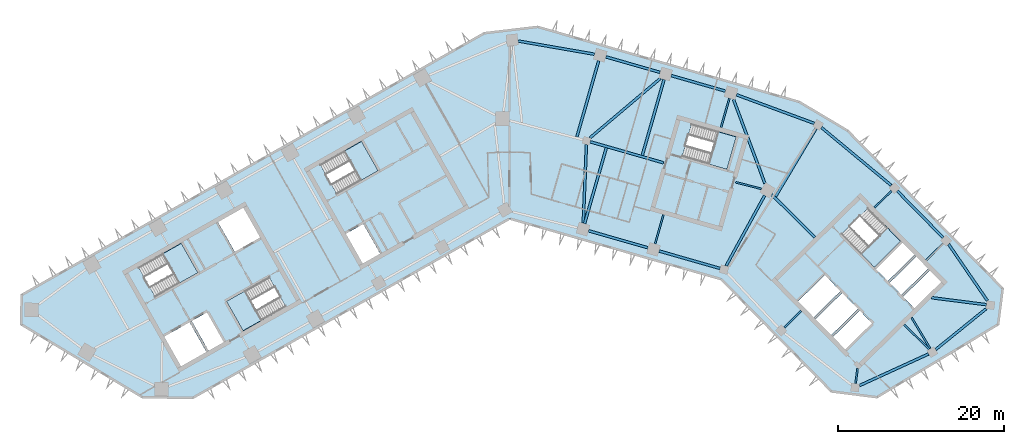
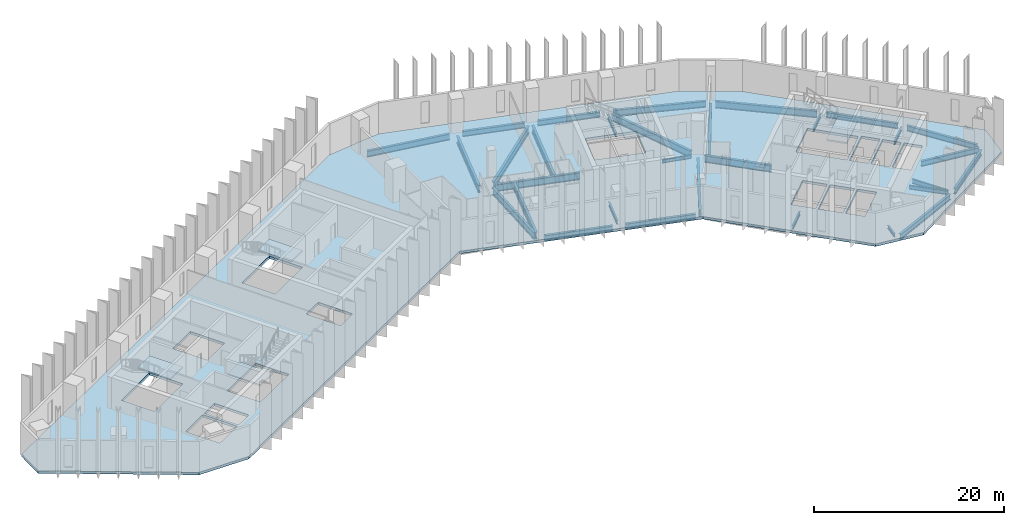
# One storey, part 2 of 11: 31 beams, 6 slabs, 5 elements without a shape of their own.
"""IFC4 building model written with IfcOpenShell, lengths in metres."""

from ifc_helpers import new_model, si_unit, direction, frame, origin, origin_2d, place, context, subcontext, project, spatial, polyline, i_section, outline, extrude, material, layer, layer_set, material_profile, profile_set, type_object, element, aggregate, save


model = new_model("IFC4")

# Units and contexts
model_context = context("Model", 3, precision=1e-05, world=origin(), true_north=direction((0.0, 1.0)))
body_context = subcontext(model_context, "Body", "Model", "MODEL_VIEW")
ifc_project = project(units=[si_unit("LENGTHUNIT", "METRE"), si_unit("AREAUNIT", "SQUARE_METRE"), si_unit("VOLUMEUNIT", "CUBIC_METRE"), si_unit("PLANEANGLEUNIT", "RADIAN"), si_unit("MASSUNIT", "GRAM", prefix="KILO")], contexts=[model_context])

# Site, building, storey
site_placement = place(None, origin())
site = spatial("IfcSite", under=ifc_project, at=site_placement, CompositionType="ELEMENT")
building_placement = place(site_placement, origin())
building = spatial("IfcBuilding", under=site, at=building_placement, Name="Binnacle Exchange Tower", CompositionType="ELEMENT")
storey_placement = place(building_placement, frame((0.0, 0.0, 105.89990234375)))
storey = spatial("IfcBuildingStorey", under=building, at=storey_placement, Name="L21", CompositionType="ELEMENT", Elevation=105.89990234375)

# Beams
ifc_material_1 = material(Name="Steel S355 (SHN355)", Category="steel")
ifc_material_profile_1 = material_profile(ifc_material_1, i_section(OverallWidth=0.300048828125, OverallDepth=0.699951171875, WebThickness=0.012939453125, FlangeThickness=0.02392578125, FilletRadius=0.028076171875, at=origin_2d()), Name="H 700x300x13x24")
ifc_profile_set_1 = profile_set([ifc_material_profile_1], Name="Steel S355 (SHN355)")
beam_type_1 = type_object("IfcBeamType", Name="Edge girder H 700x300x13x24 Steel S355 (SHN355)", PredefinedType="SPANDREL", material=ifc_profile_set_1)
beam_1_placement = place(storey_placement, frame((9.482421875, 46.529296875, -0.669921875), z_axis=(0.961257800717, -0.275650939705, 0.0), x_axis=(0.275650939705, 0.961257800717, 0.0)))
element("IfcBeam", 1, at=beam_1_placement, inside=storey, type_object=beam_type_1, Name="S:BM:edge:L21:030", PredefinedType="SPANDREL", context=body_context, shape_type="SweptSolid", body=[
    extrude(i_section(OverallWidth=0.300048828125, OverallDepth=0.699951171875, WebThickness=0.012939453125, FlangeThickness=0.02392578125, FilletRadius=0.028076171875, at=origin_2d()), origin(), (0.0, 0.0, 1.0), 7.42041015625),
])
beam_2_placement = place(storey_placement, frame((17.961181640625, 44.09814453125, -0.669921875), z_axis=(0.961257524102, -0.275651904325, 0.0), x_axis=(0.275651904325, 0.961257524102, 0.0)))
element("IfcBeam", 2, at=beam_2_placement, inside=storey, type_object=beam_type_1, Name="S:BM:edge:L21:032", PredefinedType="SPANDREL", context=body_context, shape_type="SweptSolid", body=[
    extrude(i_section(OverallWidth=0.300048828125, OverallDepth=0.699951171875, WebThickness=0.012939453125, FlangeThickness=0.02392578125, FilletRadius=0.028076171875, at=origin_2d()), origin(), (0.0, 0.0, 1.0), 7.620361328125),
])
for number, where, z_axis, x_axis, name in (
    (3, (18.073486328125, 65.569091796875, -0.669921875), (-0.961258249907, 0.275649373272, 0.0), (-0.275649373272, -0.961258249907, 0.0), "S:BM:edge:L21:033"),
    (4, (25.9296875, 63.31640625, -0.669921875), (-0.961258249907, 0.275649373272, 0.0), (-0.275649373272, -0.961258249907, 0.0), "S:BM:edge:L21:034"),
):
    element("IfcBeam", number, at=place(storey_placement, frame(where, z_axis=z_axis, x_axis=x_axis)), inside=storey, type_object=beam_type_1, Name=name, PredefinedType="SPANDREL", context=body_context, shape_type="SweptSolid", body=[
        extrude(i_section(OverallWidth=0.300048828125, OverallDepth=0.699951171875, WebThickness=0.012939453125, FlangeThickness=0.02392578125, FilletRadius=0.028076171875, at=origin_2d()), origin(), (0.0, 0.0, 1.0), 6.77294921875),
    ])
beam_3_placement = place(storey_placement, frame((51.20458984375, 32.248291015625, -0.669921875), z_axis=(0.777570349394, 0.628795953981, 0.0), x_axis=(-0.628795953981, 0.777570349394, 0.0)))
element("IfcBeam", 5, at=beam_3_placement, inside=storey, type_object=beam_type_1, Name="S:BM:edge:L21:040", PredefinedType="SPANDREL", context=body_context, shape_type="SweptSolid", body=[
    extrude(i_section(OverallWidth=0.300048828125, OverallDepth=0.699951171875, WebThickness=0.012939453125, FlangeThickness=0.02392578125, FilletRadius=0.028076171875, at=origin_2d()), origin(), (0.0, 0.0, 1.0), 7.788330078125),
])
beam_4_placement = place(storey_placement, frame((52.1162109375, 45.69580078125, -0.669921875), z_axis=(-0.700892629455, 0.713266795789, 0.0), x_axis=(-0.713266795789, -0.700892629455, 0.0)))
element("IfcBeam", 6, at=beam_4_placement, inside=storey, type_object=beam_type_1, Name="S:BM:edge:L21:041", PredefinedType="SPANDREL", context=body_context, shape_type="SweptSolid", body=[
    extrude(i_section(OverallWidth=0.300048828125, OverallDepth=0.699951171875, WebThickness=0.012939453125, FlangeThickness=0.02392578125, FilletRadius=0.028076171875, at=origin_2d()), origin(), (0.0, 0.0, 1.0), 7.872314453125),
])
beam_5_placement = place(storey_placement, frame((57.41943359375, 38.13330078125, -0.669921875), z_axis=(-0.566410561214, 0.824123216604, 0.0), x_axis=(-0.824123216604, -0.566410561214, 0.0)))
element("IfcBeam", 7, at=beam_5_placement, inside=storey, type_object=beam_type_1, Name="S:BM:edge:L21:042", PredefinedType="SPANDREL", context=body_context, shape_type="SweptSolid", body=[
    extrude(i_section(OverallWidth=0.300048828125, OverallDepth=0.699951171875, WebThickness=0.012939453125, FlangeThickness=0.02392578125, FilletRadius=0.028076171875, at=origin_2d()), origin(), (0.0, 0.0, 1.0), 8.236083984375),
])
ifc_material_profile_2 = material_profile(ifc_material_1, i_section(OverallWidth=0.302001953125, OverallDepth=0.7080078125, WebThickness=0.014892578125, FlangeThickness=0.028076171875, FilletRadius=0.028076171875, at=origin_2d()), Name="H 708x302x15x28")
ifc_profile_set_2 = profile_set([ifc_material_profile_2], Name="Steel S355 (SHN355)")
beam_type_2 = type_object("IfcBeamType", Name="Edge girder H 708x302x15x28 Steel S355 (SHN355)", PredefinedType="SPANDREL", material=ifc_profile_set_2)
beam_6_placement = place(storey_placement, frame((42.054931640625, 27.919921875, -0.673828125), z_axis=(0.909166515566, 0.41643276405, 0.0), x_axis=(-0.41643276405, 0.909166515566, 0.0)))
element("IfcBeam", 8, at=beam_6_placement, inside=storey, type_object=beam_type_2, Name="S:BM:edge:L21:038", PredefinedType="SPANDREL", context=body_context, shape_type="SweptSolid", body=[
    extrude(i_section(OverallWidth=0.302001953125, OverallDepth=0.7080078125, WebThickness=0.014892578125, FlangeThickness=0.028076171875, FilletRadius=0.028076171875, at=origin_2d()), origin(), (0.0, 0.0, 1.0), 9.128662109375),
])
ifc_material_profile_3 = material_profile(ifc_material_1, i_section(OverallWidth=0.300048828125, OverallDepth=0.800048828125, WebThickness=0.013916015625, FlangeThickness=0.02587890625, FilletRadius=0.028076171875, at=origin_2d()), Name="H 800x300x14x26")
ifc_profile_set_3 = profile_set([ifc_material_profile_3], Name="Steel S355 (SHN355)")
beam_type_3 = type_object("IfcBeamType", Name="Edge girder H 800x300x14x26 Steel S355 (SHN355)", PredefinedType="SPANDREL", material=ifc_profile_set_3)
beam_7_placement = place(storey_placement, frame((10.1962890625, 67.749267578125, -0.719970703125), z_axis=(-0.985312784176, 0.170759237931, 0.0), x_axis=(-0.170759237931, -0.985312784176, 0.0)))
element("IfcBeam", 9, at=beam_7_placement, inside=storey, type_object=beam_type_3, Name="S:BM:edge:L21:031", PredefinedType="SPANDREL", context=body_context, shape_type="SweptSolid", body=[
    extrude(i_section(OverallWidth=0.300048828125, OverallDepth=0.800048828125, WebThickness=0.013916015625, FlangeThickness=0.02587890625, FilletRadius=0.028076171875, at=origin_2d()), origin(), (0.0, 0.0, 1.0), 9.313232421875),
])
ifc_material_profile_4 = material_profile(ifc_material_1, i_section(OverallWidth=0.302001953125, OverallDepth=0.80810546875, WebThickness=0.01611328125, FlangeThickness=0.030029296875, FilletRadius=0.028076171875, at=origin_2d()), Name="H 808x302x16x30")
ifc_profile_set_4 = profile_set([ifc_material_profile_4], Name="Steel S355 (SHN355)")
beam_type_4 = type_object("IfcBeamType", Name="Edge girder H 808x302x16x30 Steel S355 (SHN355)", PredefinedType="SPANDREL", material=ifc_profile_set_4)
beam_8_placement = place(storey_placement, frame((36.60791015625, 59.438232421875, -0.723876953125), z_axis=(-0.938371988478, 0.3456269828, 0.0), x_axis=(-0.3456269828, -0.938371988478, 0.0)))
element("IfcBeam", 10, at=beam_8_placement, inside=storey, type_object=beam_type_4, Name="S:BM:edge:L21:037", PredefinedType="SPANDREL", context=body_context, shape_type="SweptSolid", body=[
    extrude(i_section(OverallWidth=0.302001953125, OverallDepth=0.80810546875, WebThickness=0.01611328125, FlangeThickness=0.030029296875, FilletRadius=0.028076171875, at=origin_2d()), origin(), (0.0, 0.0, 1.0), 9.96044921875),
])
ifc_material_profile_5 = material_profile(ifc_material_1, i_section(OverallWidth=0.300048828125, OverallDepth=0.89990234375, WebThickness=0.01611328125, FlangeThickness=0.028076171875, FilletRadius=0.028076171875, at=origin_2d()), Name="H 900x300x16x28")
ifc_profile_set_5 = profile_set([ifc_material_profile_5], Name="Steel S355 (SHN355)")
beam_type_5 = type_object("IfcBeamType", Name="Edge girder H 900x300x16x28 Steel S355 (SHN355)", PredefinedType="SPANDREL", material=ifc_profile_set_5)
beam_9_placement = place(storey_placement, frame((45.861083984375, 51.988037109375, -0.77001953125), z_axis=(-0.769903256509, 0.63816061898, 0.0), x_axis=(-0.63816061898, -0.769903256509, 0.0)))
element("IfcBeam", 11, at=beam_9_placement, inside=storey, type_object=beam_type_5, Name="S:BM:edge:L21:039", PredefinedType="SPANDREL", context=body_context, shape_type="SweptSolid", body=[
    extrude(i_section(OverallWidth=0.300048828125, OverallDepth=0.89990234375, WebThickness=0.01611328125, FlangeThickness=0.028076171875, FilletRadius=0.028076171875, at=origin_2d()), origin(), (0.0, 0.0, 1.0), 10.892822265625),
])
ifc_material_profile_6 = material_profile(ifc_material_1, i_section(OverallWidth=0.199951171875, OverallDepth=0.39990234375, WebThickness=0.008056640625, FlangeThickness=0.012939453125, FilletRadius=0.01611328125, at=origin_2d()), Name="H 400x200x8x13")
ifc_profile_set_6 = profile_set([ifc_material_profile_6], Name="Steel S355 (SHN355)")
beam_type_6 = type_object("IfcBeamType", Name="Floor beam H 400x200x8x13 Steel S355 (SHN355)", PredefinedType="BEAM", material=ifc_profile_set_6)
beam_10_placement = place(storey_placement, frame((41.582763671875, 28.1708984375, -0.52001953125), z_axis=(0.12626620762, 0.991996393549, 0.0), x_axis=(-0.991996393549, 0.12626620762, 0.0)))
element("IfcBeam", 12, at=beam_10_placement, inside=storey, type_object=beam_type_6, Name="S:BM:cross:L21:063", PredefinedType="BEAM", context=body_context, shape_type="SweptSolid", body=[
    extrude(i_section(OverallWidth=0.199951171875, OverallDepth=0.39990234375, WebThickness=0.008056640625, FlangeThickness=0.012939453125, FilletRadius=0.01611328125, at=origin_2d()), origin(), (0.0, 0.0, 1.0), 1.8310546875),
])
ifc_material_profile_7 = material_profile(ifc_material_1, i_section(OverallWidth=0.199951171875, OverallDepth=0.449951171875, WebThickness=0.009033203125, FlangeThickness=0.013916015625, FilletRadius=0.01806640625, at=origin_2d()), Name="H 450x200x9x14")
ifc_profile_set_7 = profile_set([ifc_material_profile_7], Name="Steel S355 (SHN355)")
beam_type_7 = type_object("IfcBeamType", Name="Floor beam H 450x200x9x14 Steel S355 (SHN355)", PredefinedType="BEAM", material=ifc_profile_set_7)
for number, where, z_axis, x_axis, name in (
    (13, (32.997802734375, 34.880615234375, -0.544921875), (0.713272005304, 0.700887327928, 0.0), (-0.700887327928, 0.713272005304, 0.0), "S:BM:cross:L21:061"),
    (14, (45.8916015625, 51.31689453125, -0.544921875), (-0.713272005304, -0.700887327928, 0.0), (0.700887327928, -0.713272005304, 0.0), "S:BM:cross:L21:064"),
    (15, (52.110107421875, 44.98876953125, -0.544921875), (-0.713272005304, -0.700887327928, 0.0), (0.700887327928, -0.713272005304, 0.0), "S:BM:cross:L21:066"),
):
    element("IfcBeam", number, at=place(storey_placement, frame(where, z_axis=z_axis, x_axis=x_axis)), inside=storey, type_object=beam_type_7, Name=name, PredefinedType="BEAM", context=body_context, shape_type="SweptSolid", body=[
        extrude(i_section(OverallWidth=0.199951171875, OverallDepth=0.449951171875, WebThickness=0.009033203125, FlangeThickness=0.013916015625, FilletRadius=0.01806640625, at=origin_2d()), origin(), (0.0, 0.0, 1.0), 2.8583984375),
    ])
ifc_material_profile_8 = material_profile(ifc_material_1, i_section(OverallWidth=0.200927734375, OverallDepth=0.506103515625, WebThickness=0.010986328125, FlangeThickness=0.01904296875, FilletRadius=0.02001953125, at=origin_2d()), Name="H 506x201x11x19")
ifc_profile_set_8 = profile_set([ifc_material_profile_8], Name="Steel S355 (SHN355)")
beam_type_8 = type_object("IfcBeamType", Name="Floor beam H 506x201x11x19 Steel S355 (SHN355)", PredefinedType="BEAM", material=ifc_profile_set_8)
beam_11_placement = place(storey_placement, frame((17.481201171875, 44.964111328125, -0.572998046875), z_axis=(0.275643564404, 0.961259915633, 0.0), x_axis=(-0.961259915633, 0.275643564404, 0.0)))
element("IfcBeam", 16, at=beam_11_placement, inside=storey, type_object=beam_type_8, Name="S:BM:cross:L21:058", PredefinedType="BEAM", context=body_context, shape_type="SweptSolid", body=[
    extrude(i_section(OverallWidth=0.200927734375, OverallDepth=0.506103515625, WebThickness=0.010986328125, FlangeThickness=0.01904296875, FilletRadius=0.02001953125, at=origin_2d()), origin(), (0.0, 0.0, 1.0), 3.635009765625),
])
beam_12_placement = place(storey_placement, frame((26.409912109375, 62.45068359375, -0.572998046875), z_axis=(-0.275687825643, -0.961247222515, 0.0), x_axis=(0.961247222515, -0.275687825643, 0.0)))
element("IfcBeam", 17, at=beam_12_placement, inside=storey, type_object=beam_type_8, Name="S:BM:cross:L21:060", PredefinedType="BEAM", context=body_context, shape_type="SweptSolid", body=[
    extrude(i_section(OverallWidth=0.200927734375, OverallDepth=0.506103515625, WebThickness=0.010986328125, FlangeThickness=0.01904296875, FilletRadius=0.02001953125, at=origin_2d()), origin(), (0.0, 0.0, 1.0), 3.63525390625),
])
ifc_material_profile_9 = material_profile(ifc_material_1, i_section(OverallWidth=0.199951171875, OverallDepth=0.60009765625, WebThickness=0.010986328125, FlangeThickness=0.01708984375, FilletRadius=0.02197265625, at=origin_2d()), Name="H 600x200x11x17")
ifc_profile_set_9 = profile_set([ifc_material_profile_9], Name="Steel S355 (SHN355)")
beam_type_9 = type_object("IfcBeamType", Name="Floor beam H 600x200x11x17 Steel S355 (SHN355)", PredefinedType="BEAM", material=ifc_profile_set_9)
beam_13_placement = place(storey_placement, frame((50.554443359375, 32.359619140625, -0.619873046875), z_axis=(-0.515054637465, 0.857157348697, 0.0), x_axis=(-0.857157348697, -0.515054637465, 0.0)))
element("IfcBeam", 18, at=beam_13_placement, inside=storey, type_object=beam_type_9, Name="S:BM:cross:L21:065", PredefinedType="BEAM", context=body_context, shape_type="SweptSolid", body=[
    extrude(i_section(OverallWidth=0.199951171875, OverallDepth=0.60009765625, WebThickness=0.010986328125, FlangeThickness=0.01708984375, FilletRadius=0.02197265625, at=origin_2d()), origin(), (0.0, 0.0, 1.0), 4.367431640625),
])
ifc_material_profile_10 = material_profile(ifc_material_1, i_section(OverallWidth=0.300048828125, OverallDepth=0.699951171875, WebThickness=0.012939453125, FlangeThickness=0.02392578125, FilletRadius=0.028076171875, at=origin_2d()), Name="H 700x300x13x24")
ifc_profile_set_10 = profile_set([ifc_material_profile_10], Name="Steel S355 (SHN355)")
beam_type_10 = type_object("IfcBeamType", Name="Floor beam H 700x300x13x24 Steel S355 (SHN355)", PredefinedType="BEAM", material=ifc_profile_set_10)
beam_14_placement = place(storey_placement, frame((57.302978515625, 37.64404296875, -0.669921875), z_axis=(-0.992004198178, 0.12620487628, 0.0), x_axis=(-0.12620487628, -0.992004198178, 0.0)))
element("IfcBeam", 19, at=beam_14_placement, inside=storey, type_object=beam_type_10, Name="S:BM:cross:L21:067", PredefinedType="BEAM", context=body_context, shape_type="SweptSolid", body=[
    extrude(i_section(OverallWidth=0.300048828125, OverallDepth=0.699951171875, WebThickness=0.012939453125, FlangeThickness=0.02392578125, FilletRadius=0.028076171875, at=origin_2d()), origin(), (0.0, 0.0, 1.0), 6.63134765625),
])
ifc_material_profile_11 = material_profile(ifc_material_1, i_section(OverallWidth=0.302978515625, OverallDepth=0.91796875, WebThickness=0.01904296875, FlangeThickness=0.037109375, FilletRadius=0.028076171875, at=origin_2d()), Name="H 918x303x19x37")
ifc_profile_set_11 = profile_set([ifc_material_profile_11], Name="Steel S355 (SHN355)")
beam_type_11 = type_object("IfcBeamType", Name="Floor beam H 918x303x19x37 Steel S355 (SHN355)", PredefinedType="BEAM", material=ifc_profile_set_11)
beam_15_placement = place(storey_placement, frame((9.00244140625, 47.395263671875, -0.77880859375), z_axis=(0.275642274849, 0.961260285415, 0.0), x_axis=(-0.961260285415, 0.275642274849, 0.0)))
element("IfcBeam", 20, at=beam_15_placement, inside=storey, type_object=beam_type_11, Name="S:BM:cross:L21:056", PredefinedType="BEAM", context=body_context, shape_type="SweptSolid", body=[
    extrude(i_section(OverallWidth=0.302978515625, OverallDepth=0.91796875, WebThickness=0.01904296875, FlangeThickness=0.037109375, FilletRadius=0.028076171875, at=origin_2d()), origin(), (0.0, 0.0, 1.0), 9.485107421875),
])
beam_16_placement = place(storey_placement, frame((10.697021484375, 66.9560546875, -0.77880859375), z_axis=(-0.27562260808, -0.961265924661, 0.0), x_axis=(0.961265924661, -0.27562260808, 0.0)))
element("IfcBeam", 21, at=beam_16_placement, inside=storey, type_object=beam_type_11, Name="S:BM:cross:L21:057", PredefinedType="BEAM", context=body_context, shape_type="SweptSolid", body=[
    extrude(i_section(OverallWidth=0.302978515625, OverallDepth=0.91796875, WebThickness=0.01904296875, FlangeThickness=0.037109375, FilletRadius=0.028076171875, at=origin_2d()), origin(), (0.0, 0.0, 1.0), 9.51318359375),
])
beam_17_placement = place(storey_placement, frame((18.553466796875, 64.703369140625, -0.77880859375), z_axis=(-0.275642274849, -0.961260285415, 0.0), x_axis=(0.961260285415, -0.275642274849, 0.0)))
element("IfcBeam", 22, at=beam_17_placement, inside=storey, type_object=beam_type_11, Name="S:BM:cross:L21:059", PredefinedType="BEAM", context=body_context, shape_type="SweptSolid", body=[
    extrude(i_section(OverallWidth=0.302978515625, OverallDepth=0.91796875, WebThickness=0.01904296875, FlangeThickness=0.037109375, FilletRadius=0.028076171875, at=origin_2d()), origin(), (0.0, 0.0, 1.0), 9.485107421875),
])
beam_18_placement = place(storey_placement, frame((36.829345703125, 58.832763671875, -0.77880859375), z_axis=(-0.51129570724, -0.859404852068, 0.0), x_axis=(0.859404852068, -0.51129570724, 0.0)))
element("IfcBeam", 23, at=beam_18_placement, inside=storey, type_object=beam_type_11, Name="S:BM:cross:L21:062", PredefinedType="BEAM", context=body_context, shape_type="SweptSolid", body=[
    extrude(i_section(OverallWidth=0.302978515625, OverallDepth=0.91796875, WebThickness=0.01904296875, FlangeThickness=0.037109375, FilletRadius=0.028076171875, at=origin_2d()), origin(), (0.0, 0.0, 1.0), 9.5361328125),
])
ifc_material_profile_12 = material_profile(ifc_material_1, i_section(OverallWidth=0.199951171875, OverallDepth=0.449951171875, WebThickness=0.009033203125, FlangeThickness=0.013916015625, FilletRadius=0.01806640625, at=origin_2d()), Name="H 450x200x9x14")
ifc_profile_set_12 = profile_set([ifc_material_profile_12], Name="Steel S355 (SHN355)")
beam_type_12 = type_object("IfcBeamType", Name="Spine girder H 450x200x9x14 Steel S355 (SHN355)", PredefinedType="BEAM", material=ifc_profile_set_12)
beam_19_placement = place(storey_placement, frame((27.17138671875, 52.35400390625, -0.544921875), z_axis=(0.969348404361, -0.245690193055, 0.0), x_axis=(0.245690193055, 0.969348404361, 0.0)))
element("IfcBeam", 24, at=beam_19_placement, inside=storey, type_object=beam_type_12, Name="S:BM:spine:L21:010", PredefinedType="BEAM", context=body_context, shape_type="SweptSolid", body=[
    extrude(i_section(OverallWidth=0.199951171875, OverallDepth=0.449951171875, WebThickness=0.009033203125, FlangeThickness=0.013916015625, FilletRadius=0.01806640625, at=origin_2d()), origin(), (0.0, 0.0, 1.0), 3.20361328125),
])
ifc_material_profile_13 = material_profile(ifc_material_1, i_section(OverallWidth=0.200927734375, OverallDepth=0.506103515625, WebThickness=0.010986328125, FlangeThickness=0.01904296875, FilletRadius=0.02001953125, at=origin_2d()), Name="H 506x201x11x19")
ifc_profile_set_13 = profile_set([ifc_material_profile_13], Name="Steel S355 (SHN355)")
beam_type_13 = type_object("IfcBeamType", Name="Spine girder H 506x201x11x19 Steel S355 (SHN355)", PredefinedType="BEAM", material=ifc_profile_set_13)
beam_20_placement = place(storey_placement, frame((47.417236328125, 35.23095703125, -0.572998046875), z_axis=(0.71705117811, -0.697020521915, 0.0), x_axis=(0.697020521915, 0.71705117811, 0.0)))
element("IfcBeam", 25, at=beam_20_placement, inside=storey, type_object=beam_type_13, Name="S:BM:spine:L21:014", PredefinedType="BEAM", context=body_context, shape_type="SweptSolid", body=[
    extrude(i_section(OverallWidth=0.200927734375, OverallDepth=0.506103515625, WebThickness=0.010986328125, FlangeThickness=0.01904296875, FilletRadius=0.02001953125, at=origin_2d()), origin(), (0.0, 0.0, 1.0), 4.21728515625),
])
ifc_material_profile_14 = material_profile(ifc_material_1, i_section(OverallWidth=0.300048828125, OverallDepth=0.89990234375, WebThickness=0.01611328125, FlangeThickness=0.028076171875, FilletRadius=0.028076171875, at=origin_2d()), Name="H 900x300x16x28")
ifc_profile_set_14 = profile_set([ifc_material_profile_14], Name="Steel S355 (SHN355)")
beam_type_14 = type_object("IfcBeamType", Name="Spine girder H 900x300x16x28 Steel S355 (SHN355)", PredefinedType="BEAM", material=ifc_profile_set_14)
beam_21_placement = place(storey_placement, frame((9.22216796875, 56.887451171875, -0.77001953125), z_axis=(-0.040573469093, -0.999176557774, 0.0), x_axis=(0.999176557774, -0.040573469093, 0.0)))
element("IfcBeam", 26, at=beam_21_placement, inside=storey, type_object=beam_type_14, Name="S:BM:spine:L21:007", PredefinedType="BEAM", context=body_context, shape_type="SweptSolid", body=[
    extrude(i_section(OverallWidth=0.300048828125, OverallDepth=0.89990234375, WebThickness=0.01611328125, FlangeThickness=0.028076171875, FilletRadius=0.028076171875, at=origin_2d()), origin(), (0.0, 0.0, 1.0), 9.453125),
])
beam_22_placement = place(storey_placement, frame((30.65234375, 50.771484375, -0.77001953125), z_axis=(-0.480722811784, -0.876872612316, 0.0), x_axis=(0.876872612316, -0.480722811784, 0.0)))
element("IfcBeam", 27, at=beam_22_placement, inside=storey, type_object=beam_type_14, Name="S:BM:spine:L21:011", PredefinedType="BEAM", context=body_context, shape_type="SweptSolid", body=[
    extrude(i_section(OverallWidth=0.300048828125, OverallDepth=0.89990234375, WebThickness=0.01611328125, FlangeThickness=0.028076171875, FilletRadius=0.028076171875, at=origin_2d()), origin(), (0.0, 0.0, 1.0), 9.650390625),
])
ifc_material_profile_15 = material_profile(ifc_material_1, i_section(OverallWidth=0.302978515625, OverallDepth=0.91796875, WebThickness=0.01904296875, FlangeThickness=0.037109375, FilletRadius=0.028076171875, at=origin_2d()), Name="H 918x303x19x37")
ifc_profile_set_15 = profile_set([ifc_material_profile_15], Name="Steel S355 (SHN355)")
beam_type_15 = type_object("IfcBeamType", Name="Spine girder H 918x303x19x37 Steel S355 (SHN355)", PredefinedType="BEAM", material=ifc_profile_set_15)
beam_23_placement = place(storey_placement, frame((9.65478515625, 57.69970703125, -0.77880859375), z_axis=(0.764067648684, 0.645136131552, 0.0), x_axis=(-0.645136131552, 0.764067648684, 0.0)))
element("IfcBeam", 28, at=beam_23_placement, inside=storey, type_object=beam_type_15, Name="S:BM:spine:L21:008", PredefinedType="BEAM", context=body_context, shape_type="SweptSolid", body=[
    extrude(i_section(OverallWidth=0.302978515625, OverallDepth=0.91796875, WebThickness=0.01904296875, FlangeThickness=0.037109375, FilletRadius=0.028076171875, at=origin_2d()), origin(), (0.0, 0.0, 1.0), 11.056396484375),
])
beam_24_placement = place(storey_placement, frame((9.673583984375, 57.226318359375, -0.77880859375), z_axis=(0.961256048299, -0.275657050715, 0.0), x_axis=(0.275657050715, 0.961256048299, 0.0)))
element("IfcBeam", 29, at=beam_24_placement, inside=storey, type_object=beam_type_15, Name="S:BM:spine:L21:009", PredefinedType="BEAM", context=body_context, shape_type="SweptSolid", body=[
    extrude(i_section(OverallWidth=0.302978515625, OverallDepth=0.91796875, WebThickness=0.01904296875, FlangeThickness=0.037109375, FilletRadius=0.028076171875, at=origin_2d()), origin(), (0.0, 0.0, 1.0), 9.1630859375),
])
beam_25_placement = place(storey_placement, frame((30.6806640625, 52.212890625, -0.77880859375), z_axis=(-0.350112820386, 0.93670753867, 0.0), x_axis=(-0.93670753867, -0.350112820386, 0.0)))
element("IfcBeam", 30, at=beam_25_placement, inside=storey, type_object=beam_type_15, Name="S:BM:spine:L21:012", PredefinedType="BEAM", context=body_context, shape_type="SweptSolid", body=[
    extrude(i_section(OverallWidth=0.302978515625, OverallDepth=0.91796875, WebThickness=0.01904296875, FlangeThickness=0.037109375, FilletRadius=0.028076171875, at=origin_2d()), origin(), (0.0, 0.0, 1.0), 10.777099609375),
])
beam_26_placement = place(storey_placement, frame((31.499755859375, 50.8818359375, -0.77880859375), z_axis=(0.710998016372, -0.703194013566, 0.0), x_axis=(0.703194013566, 0.710998016372, 0.0)))
element("IfcBeam", 31, at=beam_26_placement, inside=storey, type_object=beam_type_15, Name="S:BM:spine:L21:013", PredefinedType="BEAM", context=body_context, shape_type="SweptSolid", body=[
    extrude(i_section(OverallWidth=0.302978515625, OverallDepth=0.91796875, WebThickness=0.01904296875, FlangeThickness=0.037109375, FilletRadius=0.028076171875, at=origin_2d()), origin(), (0.0, 0.0, 1.0), 7.320556640625),
])

# Slab
ifc_material_2 = material(Name="Concrete C35/45", Category="concrete")
ifc_layer_1 = layer(ifc_material_2, 0.320068359375)
ifc_layer_set_1 = layer_set([ifc_layer_1], Name="Floor slab 320 Concrete C35/45")
slab_type_1 = type_object("IfcSlabType", Name="Floor slab 320 Concrete C35/45", PredefinedType="FLOOR", material=ifc_layer_set_1)
slab_1_placement = place(storey_placement, frame((0.0, 0.0, -0.31982421875)))
element("IfcSlab", 32, at=slab_1_placement, inside=storey, type_object=slab_type_1, Name="S:SL:L21:01", PredefinedType="FLOOR", context=body_context, shape_type="SweptSolid", body=[
    extrude(outline(polyline([(59.262939453125, 39.5791015625), (58.716064453125, 35.280029296875), (44.14404296875, 26.5244140625), (38.69091796875, 27.21826171875), (25.43603515625, 40.706298828125), (0.0, 48.0), (-38.097900390625, 26.4453125), (-44.14404296875, 26.5244140625), (-58.716064453125, 35.280029296875), (-58.669921875, 38.80615234375), (-3.046142578125, 70.276611328125), (3.364501953125, 71.035400390625), (34.789794921875, 62.024169921875), (40.607421875, 58.56298828125), (59.262939453125, 39.5791015625)]), holes=[polyline([(-38.4794921875, 35.529296875), (-41.61279296875, 33.756591796875), (-39.544677734375, 30.10107421875), (-36.411376953125, 31.873779296875), (-38.4794921875, 35.529296875)]), polyline([(-34.322509765625, 33.0556640625), (-36.390625, 36.711181640625), (-38.21826171875, 35.677001953125), (-36.150146484375, 32.021484375), (-34.322509765625, 33.0556640625)]), polyline([(-34.040771484375, 38.04052734375), (-32.04638671875, 34.515625), (-26.9287109375, 37.4111328125), (-28.923095703125, 40.93603515625), (-34.040771484375, 38.04052734375)]), polyline([(-37.486572265625, 41.4912109375), (-39.480712890625, 45.01611328125), (-44.598388671875, 42.12060546875), (-42.604248046875, 38.595703125), (-37.486572265625, 41.4912109375)]), polyline([(-15.53076171875, 43.6875), (-17.598876953125, 47.343017578125), (-19.77490234375, 46.11181640625), (-17.70654296875, 42.456298828125), (-15.53076171875, 43.6875)]), polyline([(-29.914306640625, 45.775390625), (-31.982666015625, 49.430908203125), (-35.115966796875, 47.657958984375), (-33.047607421875, 44.00244140625), (-29.914306640625, 45.775390625)]), polyline([(-15.822509765625, 53.748046875), (-17.81689453125, 57.27294921875), (-22.760498046875, 54.47607421875), (-20.76611328125, 50.950927734375), (-15.822509765625, 53.748046875)]), polyline([(26.111328125, 53.9169921875), (27.227783203125, 57.810302734375), (21.864013671875, 59.348388671875), (20.74755859375, 55.455078125), (26.111328125, 53.9169921875)]), polyline([(40.268798828125, 32.201904296875), (43.549560546875, 35.426025390625), (42.07763671875, 36.923828125), (38.796875, 33.69970703125), (40.268798828125, 32.201904296875)]), polyline([(38.58642578125, 33.913818359375), (41.867431640625, 37.137939453125), (39.97509765625, 39.063720703125), (36.694091796875, 35.83935546875), (38.58642578125, 33.913818359375)]), polyline([(36.48388671875, 36.053466796875), (39.7646484375, 39.277587890625), (37.872314453125, 41.203369140625), (34.59130859375, 37.979248046875), (36.48388671875, 36.053466796875)]), polyline([(48.726806640625, 37.148681640625), (52.0078125, 40.372802734375), (50.577880859375, 41.827880859375), (47.296875, 38.603759765625), (48.726806640625, 37.148681640625)]), polyline([(47.086669921875, 38.817626953125), (50.36767578125, 42.0419921875), (48.944580078125, 43.48974609375), (45.663818359375, 40.265625), (47.086669921875, 38.817626953125)]), polyline([(45.45361328125, 40.4794921875), (48.734375, 43.703857421875), (47.3115234375, 45.151611328125), (44.030517578125, 41.927490234375), (45.45361328125, 40.4794921875)]), polyline([(43.8203125, 42.141357421875), (46.994384765625, 45.260498046875), (43.083251953125, 49.240478515625), (39.9091796875, 46.121337890625), (43.8203125, 42.141357421875)])]), origin(), (0.0, 0.0, 1.0), 0.31982421875),
])

# Stair, slab
stair_type = type_object("IfcStairType", Name="STAIR 26 RISERS 169", PredefinedType="HALF_TURN_STAIR", material=ifc_material_2)
stair_1_placement = place(storey_placement, origin())
stair_1 = element("IfcStair", 33, at=stair_1_placement, inside=storey, type_object=stair_type, Name="L21 Escape stair A1", PredefinedType="HALF_TURN_STAIR")
ifc_layer_2 = layer(ifc_material_2, 0.199951171875)
ifc_layer_set_2 = layer_set([ifc_layer_2], Name="STAIR LANDING 200")
slab_type_2 = type_object("IfcSlabType", Name="STAIR LANDING 200", PredefinedType="LANDING", material=ifc_layer_set_2)
slab_2_placement = place(storey_placement, frame((0.0, 0.0, 2.0)))
slab_2 = element("IfcSlab", 34, at=slab_2_placement, type_object=slab_type_2, Name="STA1 landing 1", PredefinedType="LANDING", context=body_context, shape_type="SweptSolid", body=[
    extrude(outline(polyline([(-39.714599609375, 40.23046875), (-37.486572265625, 41.4912109375), (-39.48095703125, 45.01611328125), (-41.708984375, 43.755615234375), (-39.714599609375, 40.23046875)])), origin(), (0.0, 0.0, 1.0), 0.2001953125),
])
aggregate(stair_1, [slab_2])

stair_2_placement = place(storey_placement, origin())
stair_2 = element("IfcStair", 35, at=stair_2_placement, inside=storey, type_object=stair_type, Name="L21 Escape stair A2", PredefinedType="HALF_TURN_STAIR")
slab_3_placement = place(storey_placement, frame((0.0, 0.0, 2.0)))
slab_3 = element("IfcSlab", 36, at=slab_3_placement, type_object=slab_type_2, Name="STA2 landing 1", PredefinedType="LANDING", context=body_context, shape_type="SweptSolid", body=[
    extrude(outline(polyline([(-31.8125, 39.30126953125), (-34.040771484375, 38.04052734375), (-32.04638671875, 34.515625), (-29.818359375, 35.7763671875), (-31.8125, 39.30126953125)])), origin(), (0.0, 0.0, 1.0), 0.2001953125),
])
aggregate(stair_2, [slab_3])

stair_3_placement = place(storey_placement, origin())
stair_3 = element("IfcStair", 37, at=stair_3_placement, inside=storey, type_object=stair_type, Name="L21 Escape stair B1", PredefinedType="HALF_TURN_STAIR")
slab_4_placement = place(storey_placement, frame((0.0, 0.0, 2.0)))
slab_4 = element("IfcSlab", 38, at=slab_4_placement, type_object=slab_type_2, Name="STB1 landing 1", PredefinedType="LANDING", context=body_context, shape_type="SweptSolid", body=[
    extrude(outline(polyline([(42.236328125, 43.75341796875), (43.8203125, 42.141357421875), (46.994384765625, 45.260498046875), (45.410400390625, 46.872314453125), (42.236328125, 43.75341796875)])), origin(), (0.0, 0.0, 1.0), 0.2001953125),
])
aggregate(stair_3, [slab_4])

stair_4_placement = place(storey_placement, origin())
stair_4 = element("IfcStair", 39, at=stair_4_placement, inside=storey, type_object=stair_type, Name="L21 Escape stair C1", PredefinedType="HALF_TURN_STAIR")
slab_5_placement = place(storey_placement, frame((0.0, 0.0, 2.0)))
slab_5 = element("IfcSlab", 40, at=slab_5_placement, type_object=slab_type_2, Name="STC1 landing 1", PredefinedType="LANDING", context=body_context, shape_type="SweptSolid", body=[
    extrude(outline(polyline([(-17.876708984375, 52.5859375), (-15.822509765625, 53.748046875), (-17.81689453125, 57.27294921875), (-19.870849609375, 56.11083984375), (-17.876708984375, 52.5859375)])), origin(), (0.0, 0.0, 1.0), 0.2001953125),
])
aggregate(stair_4, [slab_5])

stair_5_placement = place(storey_placement, origin())
stair_5 = element("IfcStair", 41, at=stair_5_placement, inside=storey, type_object=stair_type, Name="L21 Escape stair D1", PredefinedType="HALF_TURN_STAIR")
slab_6_placement = place(storey_placement, frame((0.0, 0.0, 2.0)))
slab_6 = element("IfcSlab", 42, at=slab_6_placement, type_object=slab_type_2, Name="STD1 landing 1", PredefinedType="LANDING", context=body_context, shape_type="SweptSolid", body=[
    extrude(outline(polyline([(23.93896484375, 54.5400390625), (26.111328125, 53.917236328125), (27.227783203125, 57.810302734375), (25.05517578125, 58.43310546875), (23.93896484375, 54.5400390625)])), origin(), (0.0, 0.0, 1.0), 0.2001953125),
])
aggregate(stair_5, [slab_6])

save(model, "model.ifc")
